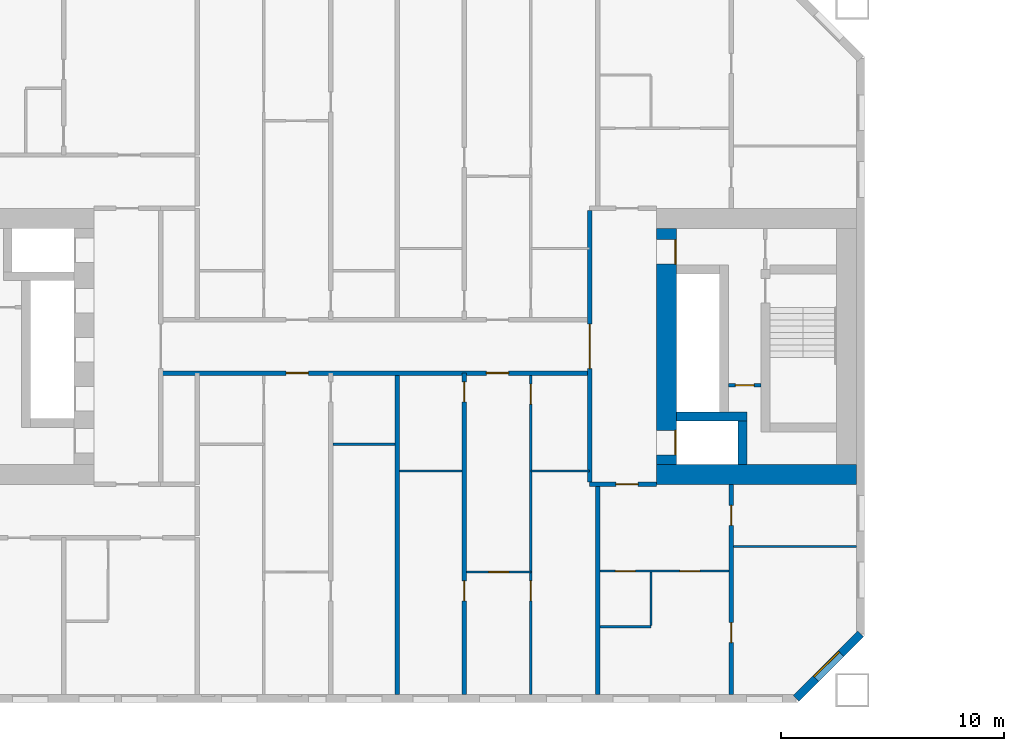
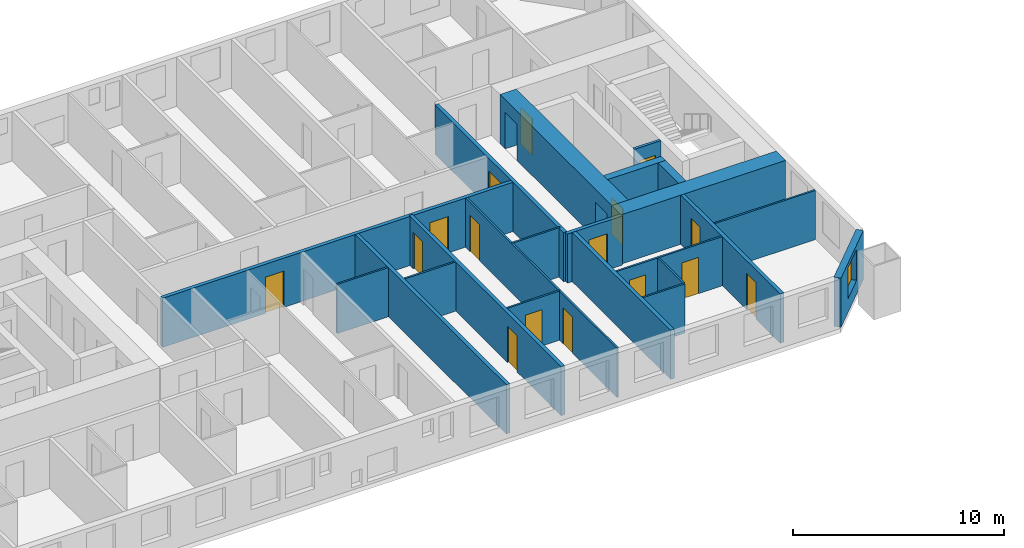
# One storey, part 6 of 16: 22 walls, 16 doors, 1 window, 17 openings.
"""IFC4 building model written with IfcOpenShell, lengths in metres."""

from ifc_helpers import new_model, si_unit, direction, frame, frame_2d, origin, place, context, subcontext, project, spatial, rectangle, extrude, material, layer, layer_set, type_object, element, fill, save


model = new_model("IFC4")

# Units and contexts
model_context = context("Model", 3, precision=1e-05, world=origin(), true_north=direction((0.0, 1.0)))
body_context = subcontext(model_context, "Body", "Model", "MODEL_VIEW")
ifc_project = project(units=[si_unit("LENGTHUNIT", "METRE"), si_unit("AREAUNIT", "SQUARE_METRE"), si_unit("VOLUMEUNIT", "CUBIC_METRE"), si_unit("PLANEANGLEUNIT", "RADIAN"), si_unit("MASSUNIT", "GRAM", prefix="KILO")], contexts=[model_context])

# Site, building, storey
site_placement = place(None, origin())
site = spatial("IfcSite", under=ifc_project, at=site_placement, CompositionType="ELEMENT")
building_placement = place(site_placement, origin())
building = spatial("IfcBuilding", under=site, at=building_placement, Name="Tuart Gate Housing", CompositionType="ELEMENT")
storey_placement = place(building_placement, frame((0.0, 0.0, 35.0)))
storey = spatial("IfcBuildingStorey", under=building, at=storey_placement, Name="L09", CompositionType="ELEMENT", Elevation=35.0)

# Wall, opening, window
ifc_material_1 = material(Name="Brick", Category="masonry")
ifc_layer_1 = layer(ifc_material_1, 0.360107421875)
ifc_layer_set_1 = layer_set([ifc_layer_1], Name="Brick pier and spandrel wall 360")
wall_type_1 = type_object("IfcWallType", Name="Brick pier and spandrel wall 360", PredefinedType="STANDARD", material=ifc_layer_set_1)
wall_1_placement = place(storey_placement, frame((72.92529296875, 54.179931640625, 0.0), z_axis=(0.0, 0.0, 1.0), x_axis=(0.707106781187, 0.707106781187, 0.0)))
wall_1 = element("IfcWall", 1, at=wall_1_placement, inside=storey, type_object=wall_type_1, Name="External wall A-SE L09", PredefinedType="STANDARD", context=body_context, shape_type="SweptSolid", body=[
    extrude(rectangle(XDim=4.09375, YDim=0.360107421875, at=frame_2d((2.046875, 0.0))), origin(), (0.0, 0.0, 1.0), 2.85009765625),
])
opening_1_placement = place(wall_1_placement, frame((1.2470703125, 0.0, 0.800048828125)))
opening_1 = element("IfcOpeningElement", 2, at=opening_1_placement, cuts=wall_1, Name="Opening W1", PredefinedType="OPENING", context=body_context, shape_type="SweptSolid", body=[
    extrude(rectangle(XDim=1.60009765625, YDim=1.800048828125, at=frame_2d((0.800048828125, 0.89990234375))), frame((0.0, 0.18994140625, 0.0), z_axis=(0.0, -1.0, 0.0), x_axis=(1.0, 0.0, 0.0)), (0.0, 0.0, 1.0), 0.380126953125),
])
ifc_material_2 = material(Name="Aluminium frame with clear glass", Category="aluminium")
window_type = type_object("IfcWindowType", Name="Punched window 1600 x 1800", PartitioningType="SINGLE_PANEL", PredefinedType="WINDOW", material=ifc_material_2)
window_placement = place(opening_1_placement, origin())
window = element("IfcWindow", 3, at=window_placement, inside=storey, type_object=window_type, Name="Window W1", OverallHeight=1.800048828125, OverallWidth=1.60009765625, PartitioningType="SINGLE_PANEL", PredefinedType="WINDOW", context=body_context, shape_type="SweptSolid", body=[
    extrude(rectangle(XDim=1.60009765625, YDim=1.800048828125, at=frame_2d((0.800048828125, 0.89990234375))), frame((0.0, 0.150146484375, 0.0), z_axis=(0.0, -1.0, 0.0), x_axis=(1.0, 0.0, 0.0)), (0.0, 0.0, 1.0), 0.06005859375),
])
fill(opening_1, window)

# Wall, opening, door
ifc_material_3 = material(Name="Plasterboard partition")
ifc_layer_2 = layer(ifc_material_3, 0.14990234375)
ifc_layer_set_2 = layer_set([ifc_layer_2], Name="Core partition 150")
wall_type_2 = type_object("IfcWallType", Name="Core partition 150", PredefinedType="PARTITIONING", material=ifc_layer_set_2)
wall_2_placement = place(storey_placement, frame((69.889892578125, 68.25, 0.0), z_axis=(0.0, 0.0, 1.0), x_axis=(1.0, 0.0, 0.0)))
wall_2 = element("IfcWall", 4, at=wall_2_placement, inside=storey, type_object=wall_type_2, Name="Core partition AG.3", PredefinedType="PARTITIONING", context=body_context, shape_type="SweptSolid", body=[
    extrude(rectangle(XDim=1.4501953125, YDim=0.14990234375, at=frame_2d((0.72509765625, 0.0))), origin(), (0.0, 0.0, 1.0), 2.85009765625),
])
opening_2_placement = place(wall_2_placement, frame((0.300048828125, 0.0, 0.0)))
opening_2 = element("IfcOpeningElement", 5, at=opening_2_placement, cuts=wall_2, Name="Opening D505", PredefinedType="OPENING", context=body_context, shape_type="SweptSolid", body=[
    extrude(rectangle(XDim=0.85009765625, YDim=2.10009765625, at=frame_2d((0.425048828125, 1.050048828125))), frame((0.0, 0.0849609375, 0.0), z_axis=(0.0, -1.0, 0.0), x_axis=(1.0, 0.0, 0.0)), (0.0, 0.0, 1.0), 0.169921875),
])
ifc_material_4 = material(Name="Steel fire door", Category="steel")
door_type_1 = type_object("IfcDoorType", Name="Riser door 850 x 2100 RH", OperationType="SINGLE_SWING_RIGHT", PredefinedType="DOOR", material=ifc_material_4)
door_1_placement = place(opening_2_placement, frame((0.85009765625, 0.0, 0.0), z_axis=(0.0, 0.0, 1.0), x_axis=(-1.0, 0.0, 0.0)))
door_1 = element("IfcDoor", 6, at=door_1_placement, inside=storey, type_object=door_type_1, Name="Service room door AG.E1", OperationType="SINGLE_SWING_RIGHT", OverallHeight=2.10009765625, OverallWidth=0.85009765625, PredefinedType="DOOR", context=body_context, shape_type="SweptSolid", body=[
    extrude(rectangle(XDim=0.85009765625, YDim=2.10009765625, at=frame_2d((0.425048828125, 1.050048828125))), frame((0.0, 0.025146484375, 0.0), z_axis=(0.0, -1.0, 0.0), x_axis=(1.0, 0.0, 0.0)), (0.0, 0.0, 1.0), 0.050048828125),
])
fill(opening_2, door_1)

# Walls
ifc_material_5 = material(Name="Concrete C60", Category="concrete")
ifc_layer_3 = layer(ifc_material_5, 0.39990234375)
ifc_layer_set_3 = layer_set([ifc_layer_3], Name="Core wall 400 C60")
wall_type_3 = type_object("IfcWallType", Name="Core wall 400 C60", PredefinedType="SHEAR", material=ifc_layer_set_3)
wall_3_placement = place(storey_placement, frame((67.5400390625, 66.85009765625, 0.0), z_axis=(0.0, 0.0, 1.0), x_axis=(1.0, 0.0, 0.0)))
element("IfcWall", 7, at=wall_3_placement, inside=storey, type_object=wall_type_3, Name="Core wall AG.2", PredefinedType="SHEAR", context=body_context, shape_type="SweptSolid", body=[
    extrude(rectangle(XDim=3.169921875, YDim=0.39990234375, at=frame_2d((1.5849609375, 0.0))), origin(), (0.0, 0.0, 1.0), 2.85009765625),
])
wall_4_placement = place(storey_placement, frame((70.510009765625, 64.699951171875, 0.0), z_axis=(0.0, 0.0, 1.0), x_axis=(0.0, 1.0, 0.0)))
element("IfcWall", 8, at=wall_4_placement, inside=storey, type_object=wall_type_3, Name="Core wall AG.7", PredefinedType="SHEAR", context=body_context, shape_type="SweptSolid", body=[
    extrude(rectangle(XDim=1.949951171875, YDim=0.39990234375, at=frame_2d((0.97509765625, 0.0))), origin(), (0.0, 0.0, 1.0), 2.85009765625),
])

# Wall, openings, doors
ifc_material_6 = material(Name="Concrete C60", Category="concrete")
ifc_layer_4 = layer(ifc_material_6, 0.89990234375)
ifc_layer_set_4 = layer_set([ifc_layer_4], Name="Core wall 900 C60")
wall_type_4 = type_object("IfcWallType", Name="Core wall 900 C60", PredefinedType="SHEAR", material=ifc_layer_set_4)
wall_5_placement = place(storey_placement, frame((67.090087890625, 64.699951171875, 0.0), z_axis=(0.0, 0.0, 1.0), x_axis=(0.0, 1.0, 0.0)))
wall_5 = element("IfcWall", 9, at=wall_5_placement, inside=storey, type_object=wall_type_4, Name="Core wall AG front", PredefinedType="SHEAR", context=body_context, shape_type="SweptSolid", body=[
    extrude(rectangle(XDim=10.60009765625, YDim=0.89990234375, at=frame_2d((5.300048828125, 0.0))), origin(), (0.0, 0.0, 1.0), 2.85009765625),
])
opening_3_placement = place(wall_5_placement, frame((0.425048828125, 0.0, 0.0)))
opening_3 = element("IfcOpeningElement", 10, at=opening_3_placement, cuts=wall_5, Name="Opening LD-FA1", PredefinedType="OPENING", context=body_context, shape_type="SweptSolid", body=[
    extrude(rectangle(XDim=1.10009765625, YDim=2.10009765625, at=frame_2d((0.550048828125, 1.050048828125))), frame((0.0, 0.4599609375, 0.0), z_axis=(0.0, -1.0, 0.0), x_axis=(1.0, 0.0, 0.0)), (0.0, 0.0, 1.0), 0.919921875),
])
opening_4_placement = place(wall_5_placement, frame((9.0, 0.0, 0.0)))
opening_4 = element("IfcOpeningElement", 11, at=opening_4_placement, cuts=wall_5, Name="Opening D501", PredefinedType="OPENING", context=body_context, shape_type="SweptSolid", body=[
    extrude(rectangle(XDim=1.10009765625, YDim=2.10009765625, at=frame_2d((0.550048828125, 1.050048828125))), frame((0.0, 0.4599609375, 0.0), z_axis=(0.0, -1.0, 0.0), x_axis=(1.0, 0.0, 0.0)), (0.0, 0.0, 1.0), 0.919921875),
])
ifc_material_7 = material(Name="Stainless steel", Category="steel")
door_type_2 = type_object("IfcDoorType", Name="Landing door 1100 x 2100", OperationType="DOUBLE_DOOR_SLIDING", PredefinedType="DOOR", material=ifc_material_7)
door_2_placement = place(opening_3_placement, origin())
door_2 = element("IfcDoor", 12, at=door_2_placement, inside=storey, type_object=door_type_2, Name="Lift landing door FA1", OperationType="DOUBLE_DOOR_SLIDING", OverallHeight=2.10009765625, OverallWidth=1.10009765625, PredefinedType="DOOR", context=body_context, shape_type="SweptSolid", body=[
    extrude(rectangle(XDim=1.10009765625, YDim=2.10009765625, at=frame_2d((0.550048828125, 1.050048828125))), frame((0.0, -0.384765625, 0.0), z_axis=(0.0, -1.0, 0.0), x_axis=(1.0, 0.0, 0.0)), (0.0, 0.0, 1.0), 0.050048828125),
])
fill(opening_3, door_2)
ifc_material_8 = material(Name="Steel fire door", Category="steel")
door_type_3 = type_object("IfcDoorType", Name="Lobby door 1100 x 2100 RH", OperationType="SINGLE_SWING_RIGHT", PredefinedType="DOOR", material=ifc_material_8)
door_3_placement = place(opening_4_placement, frame((1.10009765625, 0.0, 0.0), z_axis=(0.0, 0.0, 1.0), x_axis=(-1.0, 0.0, 0.0)))
door_3 = element("IfcDoor", 13, at=door_3_placement, inside=storey, type_object=door_type_3, Name="Lobby entry door AG.EN", OperationType="SINGLE_SWING_RIGHT", OverallHeight=2.10009765625, OverallWidth=1.10009765625, PredefinedType="DOOR", context=body_context, shape_type="SweptSolid", body=[
    extrude(rectangle(XDim=1.10009765625, YDim=2.10009765625, at=frame_2d((0.550048828125, 1.050048828125))), frame((0.0, 0.434814453125, 0.0), z_axis=(0.0, -1.0, 0.0), x_axis=(1.0, 0.0, 0.0)), (0.0, 0.0, 1.0), 0.050048828125),
])
fill(opening_4, door_3)

# Wall
wall_6_placement = place(storey_placement, frame((66.639892578125, 64.25, 0.0), z_axis=(0.0, 0.0, 1.0), x_axis=(1.0, 0.0, 0.0)))
element("IfcWall", 14, at=wall_6_placement, inside=storey, type_object=wall_type_4, Name="Core wall AG south", PredefinedType="SHEAR", context=body_context, shape_type="SweptSolid", body=[
    extrude(rectangle(XDim=9.0, YDim=0.89990234375, at=frame_2d((4.5, 0.0))), origin(), (0.0, 0.0, 1.0), 2.85009765625),
])

# Wall, openings, doors
ifc_material_9 = material(Name="Concrete masonry 15 MPa", Category="masonry")
ifc_layer_5 = layer(ifc_material_9, 0.199951171875)
ifc_layer_set_5 = layer_set([ifc_layer_5], Name="Corridor wall masonry 200")
wall_type_5 = type_object("IfcWallType", Name="Corridor wall masonry 200", PredefinedType="PARTITIONING", material=ifc_layer_set_5)
wall_7_placement = place(storey_placement, frame((44.360107421875, 68.800048828125, 0.0), z_axis=(0.0, 0.0, 1.0), x_axis=(1.0, 0.0, 0.0)))
wall_7 = element("IfcWall", 15, at=wall_7_placement, inside=storey, type_object=wall_type_5, Name="Corridor wall masonry 200", PredefinedType="PARTITIONING", context=body_context, shape_type="SweptSolid", body=[
    extrude(rectangle(XDim=19.27978515625, YDim=0.199951171875, at=frame_2d((9.639892578125, 0.0))), origin(), (0.0, 0.0, 1.0), 2.85009765625),
])
opening_5_placement = place(wall_7_placement, frame((14.639892578125, 0.0, 0.0)))
opening_5 = element("IfcOpeningElement", 16, at=opening_5_placement, cuts=wall_7, Name="Opening D503", PredefinedType="OPENING", context=body_context, shape_type="SweptSolid", body=[
    extrude(rectangle(XDim=1.0, YDim=2.10009765625, at=frame_2d((0.5, 1.050048828125))), frame((0.0, 0.10986328125, 0.0), z_axis=(0.0, -1.0, 0.0), x_axis=(1.0, 0.0, 0.0)), (0.0, 0.0, 1.0), 0.219970703125),
])
opening_6_placement = place(wall_7_placement, frame((5.639892578125, 0.0, 0.0)))
opening_6 = element("IfcOpeningElement", 17, at=opening_6_placement, cuts=wall_7, Name="Opening D504", PredefinedType="OPENING", context=body_context, shape_type="SweptSolid", body=[
    extrude(rectangle(XDim=1.0, YDim=2.10009765625, at=frame_2d((0.5, 1.050048828125))), frame((0.0, 0.10986328125, 0.0), z_axis=(0.0, -1.0, 0.0), x_axis=(1.0, 0.0, 0.0)), (0.0, 0.0, 1.0), 0.219970703125),
])
ifc_material_10 = material(Name="Timber door leaf in steel frame", Category="steel")
door_type_4 = type_object("IfcDoorType", Name="Flat entrance door 1000 RH", OperationType="SINGLE_SWING_RIGHT", PredefinedType="DOOR", material=ifc_material_10)
door_4_placement = place(opening_5_placement, frame((1.0, 0.0, 0.0), z_axis=(0.0, 0.0, 1.0), x_axis=(-1.0, 0.0, 0.0)))
door_4 = element("IfcDoor", 18, at=door_4_placement, inside=storey, type_object=door_type_4, Name="Flat entrance door", OperationType="SINGLE_SWING_RIGHT", OverallHeight=2.10009765625, OverallWidth=1.0, PredefinedType="DOOR", context=body_context, shape_type="SweptSolid", body=[
    extrude(rectangle(XDim=1.0, YDim=2.10009765625, at=frame_2d((0.5, 1.050048828125))), frame((0.0, 0.025146484375, 0.0), z_axis=(0.0, -1.0, 0.0), x_axis=(1.0, 0.0, 0.0)), (0.0, 0.0, 1.0), 0.050048828125),
])
fill(opening_5, door_4)
door_5_placement = place(opening_6_placement, frame((1.0, 0.0, 0.0), z_axis=(0.0, 0.0, 1.0), x_axis=(-1.0, 0.0, 0.0)))
door_5 = element("IfcDoor", 19, at=door_5_placement, inside=storey, type_object=door_type_4, Name="Flat entrance door", OperationType="SINGLE_SWING_RIGHT", OverallHeight=2.10009765625, OverallWidth=1.0, PredefinedType="DOOR", context=body_context, shape_type="SweptSolid", body=[
    extrude(rectangle(XDim=1.0, YDim=2.10009765625, at=frame_2d((0.5, 1.050048828125))), frame((0.0, 0.025146484375, 0.0), z_axis=(0.0, -1.0, 0.0), x_axis=(1.0, 0.0, 0.0)), (0.0, 0.0, 1.0), 0.050048828125),
])
fill(opening_6, door_5)

# Wall, opening, door
ifc_material_11 = material(Name="Concrete masonry 15 MPa", Category="masonry")
ifc_layer_6 = layer(ifc_material_11, 0.199951171875)
ifc_layer_set_6 = layer_set([ifc_layer_6], Name="Enclosure wall masonry 200")
wall_type_6 = type_object("IfcWallType", Name="Enclosure wall masonry 200", PredefinedType="PARTITIONING", material=ifc_layer_set_6)
wall_8_placement = place(storey_placement, frame((63.639892578125, 63.800048828125, 0.0), z_axis=(0.0, 0.0, 1.0), x_axis=(1.0, 0.0, 0.0)))
wall_8 = element("IfcWall", 20, at=wall_8_placement, inside=storey, type_object=wall_type_6, Name="Enclosure wall masonry 200", PredefinedType="PARTITIONING", context=body_context, shape_type="SweptSolid", body=[
    extrude(rectangle(XDim=3.0, YDim=0.199951171875, at=frame_2d((1.5, 0.0))), origin(), (0.0, 0.0, 1.0), 2.85009765625),
])
opening_7_placement = place(wall_8_placement, frame((1.179931640625, 0.0, 0.0)))
opening_7 = element("IfcOpeningElement", 21, at=opening_7_placement, cuts=wall_8, Name="Opening D509", PredefinedType="OPENING", context=body_context, shape_type="SweptSolid", body=[
    extrude(rectangle(XDim=1.0, YDim=2.10009765625, at=frame_2d((0.5, 1.050048828125))), frame((0.0, 0.10986328125, 0.0), z_axis=(0.0, -1.0, 0.0), x_axis=(1.0, 0.0, 0.0)), (0.0, 0.0, 1.0), 0.219970703125),
])
door_6_placement = place(opening_7_placement, frame((1.0, 0.0, 0.0), z_axis=(0.0, 0.0, 1.0), x_axis=(-1.0, 0.0, 0.0)))
door_6 = element("IfcDoor", 22, at=door_6_placement, inside=storey, type_object=door_type_4, Name="Flat entrance door", OperationType="SINGLE_SWING_RIGHT", OverallHeight=2.10009765625, OverallWidth=1.0, PredefinedType="DOOR", context=body_context, shape_type="SweptSolid", body=[
    extrude(rectangle(XDim=1.0, YDim=2.10009765625, at=frame_2d((0.5, 1.050048828125))), frame((0.0, 0.025146484375, 0.0), z_axis=(0.0, -1.0, 0.0), x_axis=(1.0, 0.0, 0.0)), (0.0, 0.0, 1.0), 0.050048828125),
])
fill(opening_7, door_6)

ifc_material_12 = material(Name="Plasterboard partition")
ifc_layer_7 = layer(ifc_material_12, 0.199951171875)
ifc_layer_set_7 = layer_set([ifc_layer_7], Name="Lobby wall 200")
wall_type_7 = type_object("IfcWallType", Name="Lobby wall 200", PredefinedType="PARTITIONING", material=ifc_layer_set_7)
wall_9_placement = place(storey_placement, frame((63.639892578125, 63.89990234375, 0.0), z_axis=(0.0, 0.0, 1.0), x_axis=(0.0, 1.0, 0.0)))
wall_9 = element("IfcWall", 23, at=wall_9_placement, inside=storey, type_object=wall_type_7, Name="Lift lobby wall AG", PredefinedType="PARTITIONING", context=body_context, shape_type="SweptSolid", body=[
    extrude(rectangle(XDim=12.2001953125, YDim=0.199951171875, at=frame_2d((6.10009765625, 0.0))), origin(), (0.0, 0.0, 1.0), 2.85009765625),
])
opening_8_placement = place(wall_9_placement, frame((5.10009765625, 0.0, 0.0)))
opening_8 = element("IfcOpeningElement", 24, at=opening_8_placement, cuts=wall_9, Name="Opening D500", PredefinedType="OPENING", context=body_context, shape_type="SweptSolid", body=[
    extrude(rectangle(XDim=2.0, YDim=2.10009765625, at=frame_2d((1.0, 1.050048828125))), frame((0.0, 0.10986328125, 0.0), z_axis=(0.0, -1.0, 0.0), x_axis=(1.0, 0.0, 0.0)), (0.0, 0.0, 1.0), 0.219970703125),
])
ifc_material_13 = material(Name="Steel fire door", Category="steel")
door_type_5 = type_object("IfcDoorType", Name="Smoke door 2000 x 2100", OperationType="DOUBLE_DOOR_SINGLE_SWING", PredefinedType="DOOR", material=ifc_material_13)
door_7_placement = place(opening_8_placement, frame((2.0, 0.0, 0.0), z_axis=(0.0, 0.0, 1.0), x_axis=(-1.0, 0.0, 0.0)))
door_7 = element("IfcDoor", 25, at=door_7_placement, inside=storey, type_object=door_type_5, Name="Lift lobby smoke door AG", OperationType="DOUBLE_DOOR_SINGLE_SWING", OverallHeight=2.10009765625, OverallWidth=2.0, PredefinedType="DOOR", context=body_context, shape_type="SweptSolid", body=[
    extrude(rectangle(XDim=2.0, YDim=2.10009765625, at=frame_2d((1.0, 1.050048828125))), frame((0.0, 0.025146484375, 0.0), z_axis=(0.0, -1.0, 0.0), x_axis=(1.0, 0.0, 0.0)), (0.0, 0.0, 1.0), 0.050048828125),
])
fill(opening_8, door_7)

# Wall
ifc_material_14 = material(Name="Gypsum board on steel studs", Category="steel")
ifc_layer_8 = layer(ifc_material_14, 0.10009765625)
ifc_layer_set_8 = layer_set([ifc_layer_8], Name="Partition 100")
wall_type_8 = type_object("IfcWallType", Name="Partition 100", PredefinedType="PARTITIONING", material=ifc_layer_set_8)
wall_10_placement = place(storey_placement, frame((64.10009765625, 57.39990234375, 0.0), z_axis=(0.0, 0.0, 1.0), x_axis=(1.0, 0.0, 0.0)))
element("IfcWall", 26, at=wall_10_placement, inside=storey, type_object=wall_type_8, Name="Partition 100", PredefinedType="PARTITIONING", context=body_context, shape_type="SweptSolid", body=[
    extrude(rectangle(XDim=2.2998046875, YDim=0.10009765625, at=frame_2d((1.14990234375, 0.0))), origin(), (0.0, 0.0, 1.0), 2.85009765625),
])

# Wall, opening, door
wall_11_placement = place(storey_placement, frame((58.10009765625, 59.860107421875, 0.0), z_axis=(0.0, 0.0, 1.0), x_axis=(1.0, 0.0, 0.0)))
wall_11 = element("IfcWall", 27, at=wall_11_placement, inside=storey, type_object=wall_type_8, Name="Partition 100", PredefinedType="PARTITIONING", context=body_context, shape_type="SweptSolid", body=[
    extrude(rectangle(XDim=2.89990234375, YDim=0.10009765625, at=frame_2d((1.449951171875, 0.0))), origin(), (0.0, 0.0, 1.0), 2.85009765625),
])
opening_9_placement = place(wall_11_placement, frame((1.0, 0.0, 0.0)))
opening_9 = element("IfcOpeningElement", 28, at=opening_9_placement, cuts=wall_11, Name="Opening D526", PredefinedType="OPENING", context=body_context, shape_type="SweptSolid", body=[
    extrude(rectangle(XDim=0.89990234375, YDim=2.10009765625, at=frame_2d((0.449951171875, 1.050048828125))), frame((0.0, 0.06005859375, 0.0), z_axis=(0.0, -1.0, 0.0), x_axis=(1.0, 0.0, 0.0)), (0.0, 0.0, 1.0), 0.1201171875),
])
ifc_material_15 = material(Name="Timber door leaf in steel frame", Category="steel")
door_type_6 = type_object("IfcDoorType", Name="Internal door 900 RH", OperationType="SINGLE_SWING_RIGHT", PredefinedType="DOOR", material=ifc_material_15)
door_8_placement = place(opening_9_placement, origin())
door_8 = element("IfcDoor", 29, at=door_8_placement, inside=storey, type_object=door_type_6, Name="Internal door", OperationType="SINGLE_SWING_RIGHT", OverallHeight=2.10009765625, OverallWidth=0.89990234375, PredefinedType="DOOR", context=body_context, shape_type="SweptSolid", body=[
    extrude(rectangle(XDim=0.89990234375, YDim=2.10009765625, at=frame_2d((0.449951171875, 1.050048828125))), frame((0.0, 0.02490234375, 0.0), z_axis=(0.0, -1.0, 0.0), x_axis=(1.0, 0.0, 0.0)), (0.0, 0.0, 1.0), 0.050048828125),
])
fill(opening_9, door_8)

# Wall, openings, doors
wall_12_placement = place(storey_placement, frame((64.10009765625, 59.89990234375, 0.0), z_axis=(0.0, 0.0, 1.0), x_axis=(1.0, 0.0, 0.0)))
wall_12 = element("IfcWall", 30, at=wall_12_placement, inside=storey, type_object=wall_type_8, Name="Partition 100", PredefinedType="PARTITIONING", context=body_context, shape_type="SweptSolid", body=[
    extrude(rectangle(XDim=5.7998046875, YDim=0.10009765625, at=frame_2d((2.89990234375, 0.0))), origin(), (0.0, 0.0, 1.0), 2.85009765625),
])
opening_10_placement = place(wall_12_placement, frame((3.60009765625, 0.0, 0.0)))
opening_10 = element("IfcOpeningElement", 31, at=opening_10_placement, cuts=wall_12, Name="Opening D523", PredefinedType="OPENING", context=body_context, shape_type="SweptSolid", body=[
    extrude(rectangle(XDim=0.89990234375, YDim=2.10009765625, at=frame_2d((0.449951171875, 1.050048828125))), frame((0.0, 0.06005859375, 0.0), z_axis=(0.0, -1.0, 0.0), x_axis=(1.0, 0.0, 0.0)), (0.0, 0.0, 1.0), 0.1201171875),
])
opening_11_placement = place(wall_12_placement, frame((0.699951171875, 0.0, 0.0)))
opening_11 = element("IfcOpeningElement", 32, at=opening_11_placement, cuts=wall_12, Name="Opening D522", PredefinedType="OPENING", context=body_context, shape_type="SweptSolid", body=[
    extrude(rectangle(XDim=0.89990234375, YDim=2.10009765625, at=frame_2d((0.449951171875, 1.050048828125))), frame((0.0, 0.06005859375, 0.0), z_axis=(0.0, -1.0, 0.0), x_axis=(1.0, 0.0, 0.0)), (0.0, 0.0, 1.0), 0.1201171875),
])
ifc_material_16 = material(Name="Timber door leaf in steel frame", Category="steel")
door_type_7 = type_object("IfcDoorType", Name="Bathroom door 900", OperationType="SINGLE_SWING_LEFT", PredefinedType="DOOR", material=ifc_material_16)
door_9_placement = place(opening_11_placement, frame((0.89990234375, 0.0, 0.0), z_axis=(0.0, 0.0, 1.0), x_axis=(-1.0, 0.0, 0.0)))
door_9 = element("IfcDoor", 33, at=door_9_placement, inside=storey, type_object=door_type_7, Name="Bathroom door", OperationType="SINGLE_SWING_LEFT", OverallHeight=2.10009765625, OverallWidth=0.89990234375, PredefinedType="DOOR", context=body_context, shape_type="SweptSolid", body=[
    extrude(rectangle(XDim=0.89990234375, YDim=2.10009765625, at=frame_2d((0.449951171875, 1.050048828125))), frame((0.0, 0.025146484375, 0.0), z_axis=(0.0, -1.0, 0.0), x_axis=(1.0, 0.0, 0.0)), (0.0, 0.0, 1.0), 0.050048828125),
])
fill(opening_11, door_9)
door_10_placement = place(opening_10_placement, origin())
door_10 = element("IfcDoor", 34, at=door_10_placement, inside=storey, type_object=door_type_6, Name="Internal door", OperationType="SINGLE_SWING_RIGHT", OverallHeight=2.10009765625, OverallWidth=0.89990234375, PredefinedType="DOOR", context=body_context, shape_type="SweptSolid", body=[
    extrude(rectangle(XDim=0.89990234375, YDim=2.10009765625, at=frame_2d((0.449951171875, 1.050048828125))), frame((0.0, 0.02490234375, 0.0), z_axis=(0.0, -1.0, 0.0), x_axis=(1.0, 0.0, 0.0)), (0.0, 0.0, 1.0), 0.050048828125),
])
fill(opening_10, door_10)

# Walls
wall_13_placement = place(storey_placement, frame((70.10009765625, 61.0, 0.0), z_axis=(0.0, 0.0, 1.0), x_axis=(1.0, 0.0, 0.0)))
element("IfcWall", 35, at=wall_13_placement, inside=storey, type_object=wall_type_8, Name="Partition 100", PredefinedType="PARTITIONING", context=body_context, shape_type="SweptSolid", body=[
    extrude(rectangle(XDim=5.539794921875, YDim=0.10009765625, at=frame_2d((2.77001953125, 0.0))), origin(), (0.0, 0.0, 1.0), 2.85009765625),
])
wall_14_placement = place(storey_placement, frame((55.10009765625, 64.39990234375, 0.0), z_axis=(0.0, 0.0, 1.0), x_axis=(1.0, 0.0, 0.0)))
element("IfcWall", 36, at=wall_14_placement, inside=storey, type_object=wall_type_8, Name="Partition 100", PredefinedType="PARTITIONING", context=body_context, shape_type="SweptSolid", body=[
    extrude(rectangle(XDim=2.7998046875, YDim=0.10009765625, at=frame_2d((1.39990234375, 0.0))), origin(), (0.0, 0.0, 1.0), 2.85009765625),
])
wall_15_placement = place(storey_placement, frame((61.0, 64.39990234375, 0.0), z_axis=(0.0, 0.0, 1.0), x_axis=(1.0, 0.0, 0.0)))
element("IfcWall", 37, at=wall_15_placement, inside=storey, type_object=wall_type_8, Name="Partition 100", PredefinedType="PARTITIONING", context=body_context, shape_type="SweptSolid", body=[
    extrude(rectangle(XDim=2.639892578125, YDim=0.10009765625, at=frame_2d((1.31982421875, 0.0))), origin(), (0.0, 0.0, 1.0), 2.85009765625),
])
wall_16_placement = place(storey_placement, frame((52.10009765625, 65.60009765625, 0.0), z_axis=(0.0, 0.0, 1.0), x_axis=(1.0, 0.0, 0.0)))
element("IfcWall", 38, at=wall_16_placement, inside=storey, type_object=wall_type_8, Name="Partition 100", PredefinedType="PARTITIONING", context=body_context, shape_type="SweptSolid", body=[
    extrude(rectangle(XDim=2.7998046875, YDim=0.10009765625, at=frame_2d((1.39990234375, 0.0))), origin(), (0.0, 0.0, 1.0), 2.85009765625),
])

# Wall, openings, doors
wall_17_placement = place(storey_placement, frame((61.0, 54.360107421875, 0.0), z_axis=(0.0, 0.0, 1.0), x_axis=(0.0, 1.0, 0.0)))
wall_17 = element("IfcWall", 39, at=wall_17_placement, inside=storey, type_object=wall_type_8, Name="Partition 100", PredefinedType="PARTITIONING", context=body_context, shape_type="SweptSolid", body=[
    extrude(rectangle(XDim=14.33984375, YDim=0.10009765625, at=frame_2d((7.169921875, 0.0))), origin(), (0.0, 0.0, 1.0), 2.85009765625),
])
opening_12_placement = place(wall_17_placement, frame((4.199951171875, 0.0, 0.0)))
opening_12 = element("IfcOpeningElement", 40, at=opening_12_placement, cuts=wall_17, Name="Opening D517", PredefinedType="OPENING", context=body_context, shape_type="SweptSolid", body=[
    extrude(rectangle(XDim=0.89990234375, YDim=2.10009765625, at=frame_2d((0.449951171875, 1.050048828125))), frame((0.0, 0.06005859375, 0.0), z_axis=(0.0, -1.0, 0.0), x_axis=(1.0, 0.0, 0.0)), (0.0, 0.0, 1.0), 0.1201171875),
])
opening_13_placement = place(wall_17_placement, frame((13.0400390625, 0.0, 0.0)))
opening_13 = element("IfcOpeningElement", 41, at=opening_13_placement, cuts=wall_17, Name="Opening D516", PredefinedType="OPENING", context=body_context, shape_type="SweptSolid", body=[
    extrude(rectangle(XDim=0.89990234375, YDim=2.10009765625, at=frame_2d((0.449951171875, 1.050048828125))), frame((0.0, 0.06005859375, 0.0), z_axis=(0.0, -1.0, 0.0), x_axis=(1.0, 0.0, 0.0)), (0.0, 0.0, 1.0), 0.1201171875),
])
door_11_placement = place(opening_13_placement, frame((0.89990234375, 0.0, 0.0), z_axis=(0.0, 0.0, 1.0), x_axis=(-1.0, 0.0, 0.0)))
door_11 = element("IfcDoor", 42, at=door_11_placement, inside=storey, type_object=door_type_7, Name="Bathroom door", OperationType="SINGLE_SWING_LEFT", OverallHeight=2.10009765625, OverallWidth=0.89990234375, PredefinedType="DOOR", context=body_context, shape_type="SweptSolid", body=[
    extrude(rectangle(XDim=0.89990234375, YDim=2.10009765625, at=frame_2d((0.449951171875, 1.050048828125))), frame((0.0, 0.025146484375, 0.0), z_axis=(0.0, -1.0, 0.0), x_axis=(1.0, 0.0, 0.0)), (0.0, 0.0, 1.0), 0.050048828125),
])
fill(opening_13, door_11)
door_12_placement = place(opening_12_placement, frame((0.89990234375, 0.0, 0.0), z_axis=(0.0, 0.0, 1.0), x_axis=(-1.0, 0.0, 0.0)))
door_12 = element("IfcDoor", 43, at=door_12_placement, inside=storey, type_object=door_type_6, Name="Internal door", OperationType="SINGLE_SWING_RIGHT", OverallHeight=2.10009765625, OverallWidth=0.89990234375, PredefinedType="DOOR", context=body_context, shape_type="SweptSolid", body=[
    extrude(rectangle(XDim=0.89990234375, YDim=2.10009765625, at=frame_2d((0.449951171875, 1.050048828125))), frame((0.0, 0.025146484375, 0.0), z_axis=(0.0, -1.0, 0.0), x_axis=(1.0, 0.0, 0.0)), (0.0, 0.0, 1.0), 0.050048828125),
])
fill(opening_12, door_12)

# Wall
wall_18_placement = place(storey_placement, frame((66.39990234375, 57.449951171875, 0.0), z_axis=(0.0, 0.0, 1.0), x_axis=(0.0, 1.0, 0.0)))
element("IfcWall", 44, at=wall_18_placement, inside=storey, type_object=wall_type_8, Name="Partition 100", PredefinedType="PARTITIONING", context=body_context, shape_type="SweptSolid", body=[
    extrude(rectangle(XDim=2.400146484375, YDim=0.10009765625, at=frame_2d((1.2001953125, 0.0))), origin(), (0.0, 0.0, 1.0), 2.85009765625),
])

# Wall, openings, doors
ifc_material_17 = material(Name="Concrete C40", Category="concrete")
ifc_layer_9 = layer(ifc_material_17, 0.199951171875)
ifc_layer_set_9 = layer_set([ifc_layer_9], Name="Party wall concrete C40 200")
wall_type_9 = type_object("IfcWallType", Name="Party wall concrete C40 200", PredefinedType="SOLIDWALL", material=ifc_layer_set_9)
wall_19_placement = place(storey_placement, frame((58.0, 54.360107421875, 0.0), z_axis=(0.0, 0.0, 1.0), x_axis=(0.0, 1.0, 0.0)))
wall_19 = element("IfcWall", 45, at=wall_19_placement, inside=storey, type_object=wall_type_9, Name="Party wall concrete C40 200", PredefinedType="SOLIDWALL", context=body_context, shape_type="SweptSolid", body=[
    extrude(rectangle(XDim=14.43994140625, YDim=0.199951171875, at=frame_2d((7.219970703125, 0.0))), origin(), (0.0, 0.0, 1.0), 2.85009765625),
])
opening_14_placement = place(wall_19_placement, frame((4.199951171875, 0.0, 0.0)))
opening_14 = element("IfcOpeningElement", 46, at=opening_14_placement, cuts=wall_19, Name="Opening D513", PredefinedType="OPENING", context=body_context, shape_type="SweptSolid", body=[
    extrude(rectangle(XDim=0.89990234375, YDim=2.10009765625, at=frame_2d((0.449951171875, 1.050048828125))), frame((0.0, 0.10986328125, 0.0), z_axis=(0.0, -1.0, 0.0), x_axis=(1.0, 0.0, 0.0)), (0.0, 0.0, 1.0), 0.219970703125),
])
opening_15_placement = place(wall_19_placement, frame((13.139892578125, 0.0, 0.0)))
opening_15 = element("IfcOpeningElement", 47, at=opening_15_placement, cuts=wall_19, Name="Opening D512", PredefinedType="OPENING", context=body_context, shape_type="SweptSolid", body=[
    extrude(rectangle(XDim=0.89990234375, YDim=2.10009765625, at=frame_2d((0.449951171875, 1.050048828125))), frame((0.0, 0.10986328125, 0.0), z_axis=(0.0, -1.0, 0.0), x_axis=(1.0, 0.0, 0.0)), (0.0, 0.0, 1.0), 0.219970703125),
])
ifc_material_18 = material(Name="Timber door leaf in steel frame", Category="steel")
door_type_8 = type_object("IfcDoorType", Name="Bathroom door 900 RH", OperationType="SINGLE_SWING_RIGHT", PredefinedType="DOOR", material=ifc_material_18)
door_13_placement = place(opening_15_placement, origin())
door_13 = element("IfcDoor", 48, at=door_13_placement, inside=storey, type_object=door_type_8, Name="Bathroom door", OperationType="SINGLE_SWING_RIGHT", OverallHeight=2.10009765625, OverallWidth=0.89990234375, PredefinedType="DOOR", context=body_context, shape_type="SweptSolid", body=[
    extrude(rectangle(XDim=0.89990234375, YDim=2.10009765625, at=frame_2d((0.449951171875, 1.050048828125))), frame((0.0, 0.02490234375, 0.0), z_axis=(0.0, -1.0, 0.0), x_axis=(1.0, 0.0, 0.0)), (0.0, 0.0, 1.0), 0.050048828125),
])
fill(opening_15, door_13)
ifc_material_19 = material(Name="Timber door leaf in steel frame", Category="steel")
door_type_9 = type_object("IfcDoorType", Name="Internal door 900", OperationType="SINGLE_SWING_LEFT", PredefinedType="DOOR", material=ifc_material_19)
door_14_placement = place(opening_14_placement, origin())
door_14 = element("IfcDoor", 49, at=door_14_placement, inside=storey, type_object=door_type_9, Name="Internal door", OperationType="SINGLE_SWING_LEFT", OverallHeight=2.10009765625, OverallWidth=0.89990234375, PredefinedType="DOOR", context=body_context, shape_type="SweptSolid", body=[
    extrude(rectangle(XDim=0.89990234375, YDim=2.10009765625, at=frame_2d((0.449951171875, 1.050048828125))), frame((0.0, 0.02490234375, 0.0), z_axis=(0.0, -1.0, 0.0), x_axis=(1.0, 0.0, 0.0)), (0.0, 0.0, 1.0), 0.050048828125),
])
fill(opening_14, door_14)

# Wall
wall_20_placement = place(storey_placement, frame((64.0, 54.360107421875, 0.0), z_axis=(0.0, 0.0, 1.0), x_axis=(0.0, 1.0, 0.0)))
element("IfcWall", 50, at=wall_20_placement, inside=storey, type_object=wall_type_9, Name="Party wall concrete C40 200", PredefinedType="SOLIDWALL", context=body_context, shape_type="SweptSolid", body=[
    extrude(rectangle(XDim=9.43994140625, YDim=0.199951171875, at=frame_2d((4.719970703125, 0.0))), origin(), (0.0, 0.0, 1.0), 2.85009765625),
])

# Wall, openings, doors
wall_21_placement = place(storey_placement, frame((70.0, 54.360107421875, 0.0), z_axis=(0.0, 0.0, 1.0), x_axis=(0.0, 1.0, 0.0)))
wall_21 = element("IfcWall", 51, at=wall_21_placement, inside=storey, type_object=wall_type_9, Name="Party wall concrete C40 200", PredefinedType="SOLIDWALL", context=body_context, shape_type="SweptSolid", body=[
    extrude(rectangle(XDim=9.43994140625, YDim=0.199951171875, at=frame_2d((4.719970703125, 0.0))), origin(), (0.0, 0.0, 1.0), 2.85009765625),
])
opening_16_placement = place(wall_21_placement, frame((2.320068359375, 0.0, 0.0)))
opening_16 = element("IfcOpeningElement", 52, at=opening_16_placement, cuts=wall_21, Name="Opening D530", PredefinedType="OPENING", context=body_context, shape_type="SweptSolid", body=[
    extrude(rectangle(XDim=0.89990234375, YDim=2.10009765625, at=frame_2d((0.449951171875, 1.050048828125))), frame((0.0, 0.10986328125, 0.0), z_axis=(0.0, -1.0, 0.0), x_axis=(1.0, 0.0, 0.0)), (0.0, 0.0, 1.0), 0.219970703125),
])
opening_17_placement = place(wall_21_placement, frame((7.590087890625, 0.0, 0.0)))
opening_17 = element("IfcOpeningElement", 53, at=opening_17_placement, cuts=wall_21, Name="Opening D531", PredefinedType="OPENING", context=body_context, shape_type="SweptSolid", body=[
    extrude(rectangle(XDim=0.89990234375, YDim=2.10009765625, at=frame_2d((0.449951171875, 1.050048828125))), frame((0.0, 0.10986328125, 0.0), z_axis=(0.0, -1.0, 0.0), x_axis=(1.0, 0.0, 0.0)), (0.0, 0.0, 1.0), 0.219970703125),
])
door_15_placement = place(opening_16_placement, frame((0.89990234375, 0.0, 0.0), z_axis=(0.0, 0.0, 1.0), x_axis=(-1.0, 0.0, 0.0)))
door_15 = element("IfcDoor", 54, at=door_15_placement, inside=storey, type_object=door_type_6, Name="Internal door", OperationType="SINGLE_SWING_RIGHT", OverallHeight=2.10009765625, OverallWidth=0.89990234375, PredefinedType="DOOR", context=body_context, shape_type="SweptSolid", body=[
    extrude(rectangle(XDim=0.89990234375, YDim=2.10009765625, at=frame_2d((0.449951171875, 1.050048828125))), frame((0.0, 0.025146484375, 0.0), z_axis=(0.0, -1.0, 0.0), x_axis=(1.0, 0.0, 0.0)), (0.0, 0.0, 1.0), 0.050048828125),
])
fill(opening_16, door_15)
door_16_placement = place(opening_17_placement, frame((0.89990234375, 0.0, 0.0), z_axis=(0.0, 0.0, 1.0), x_axis=(-1.0, 0.0, 0.0)))
door_16 = element("IfcDoor", 55, at=door_16_placement, inside=storey, type_object=door_type_6, Name="Internal door", OperationType="SINGLE_SWING_RIGHT", OverallHeight=2.10009765625, OverallWidth=0.89990234375, PredefinedType="DOOR", context=body_context, shape_type="SweptSolid", body=[
    extrude(rectangle(XDim=0.89990234375, YDim=2.10009765625, at=frame_2d((0.449951171875, 1.050048828125))), frame((0.0, 0.025146484375, 0.0), z_axis=(0.0, -1.0, 0.0), x_axis=(1.0, 0.0, 0.0)), (0.0, 0.0, 1.0), 0.050048828125),
])
fill(opening_17, door_16)

# Wall
ifc_material_20 = material(Name="Concrete masonry 15 MPa", Category="masonry")
ifc_layer_10 = layer(ifc_material_20, 0.199951171875)
ifc_layer_set_10 = layer_set([ifc_layer_10], Name="Party wall masonry 200")
wall_type_10 = type_object("IfcWallType", Name="Party wall masonry 200", PredefinedType="PARTITIONING", material=ifc_layer_set_10)
wall_22_placement = place(storey_placement, frame((55.0, 54.360107421875, 0.0), z_axis=(0.0, 0.0, 1.0), x_axis=(0.0, 1.0, 0.0)))
element("IfcWall", 56, at=wall_22_placement, inside=storey, type_object=wall_type_10, Name="Party wall masonry 200", PredefinedType="PARTITIONING", context=body_context, shape_type="SweptSolid", body=[
    extrude(rectangle(XDim=14.33984375, YDim=0.199951171875, at=frame_2d((7.169921875, 0.0))), origin(), (0.0, 0.0, 1.0), 2.85009765625),
])

save(model, "model.ifc")
